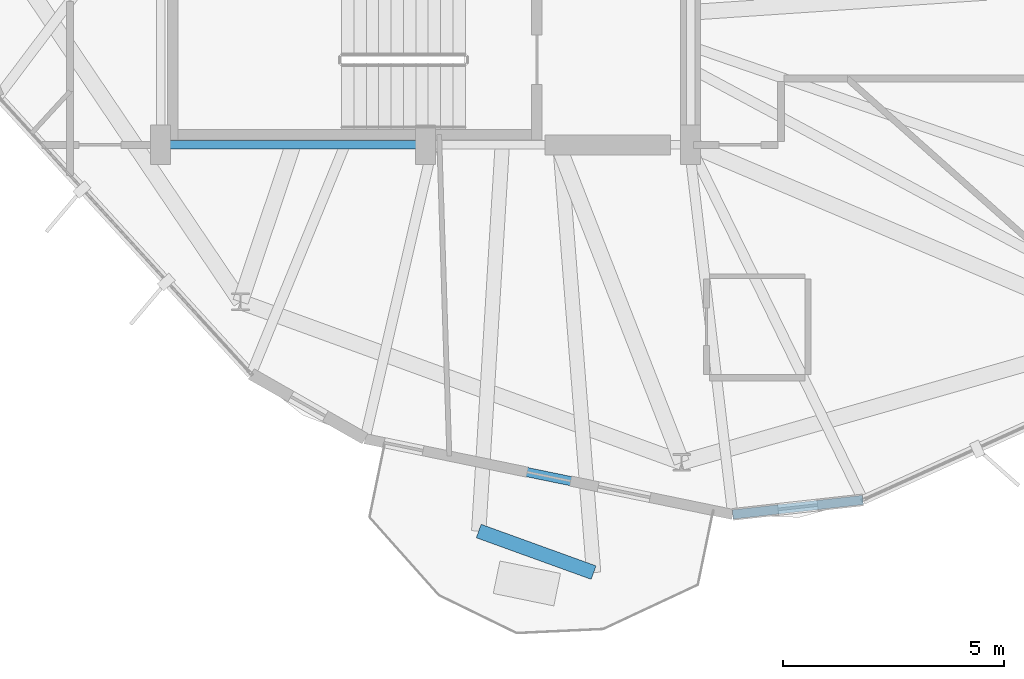
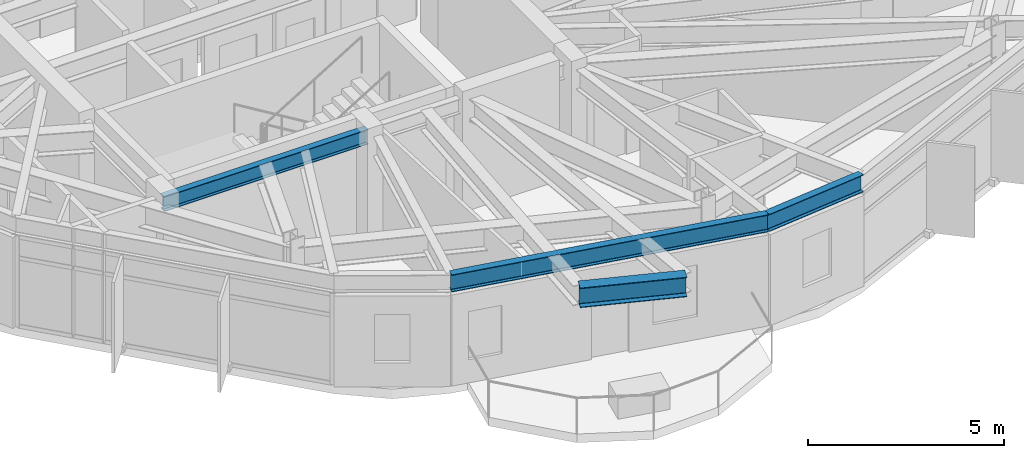
# One storey, part 4 of 23: 4 beams.
"""IFC4 building model written with IfcOpenShell, lengths in metres."""

from ifc_helpers import new_model, si_unit, direction, frame, origin, origin_2d, place, context, subcontext, project, spatial, i_section, extrude, material, material_profile, profile_set, type_object, element, save


model = new_model("IFC4")

# Units and contexts
model_context = context("Model", 3, precision=1e-05, world=origin(), true_north=direction((0.0, 1.0)))
body_context = subcontext(model_context, "Body", "Model", "MODEL_VIEW")
ifc_project = project(units=[si_unit("LENGTHUNIT", "METRE"), si_unit("AREAUNIT", "SQUARE_METRE"), si_unit("VOLUMEUNIT", "CUBIC_METRE"), si_unit("PLANEANGLEUNIT", "RADIAN"), si_unit("MASSUNIT", "GRAM", prefix="KILO")], contexts=[model_context])

# Site, building, storey
site_placement = place(None, origin())
site = spatial("IfcSite", under=ifc_project, at=site_placement, CompositionType="ELEMENT")
building_placement = place(site_placement, origin())
building = spatial("IfcBuilding", under=site, at=building_placement, Name="Soratama Intermodal Tower", CompositionType="ELEMENT")
storey_placement = place(building_placement, frame((0.0, 0.0, 257.5)))
storey = spatial("IfcBuildingStorey", under=building, at=storey_placement, Name="L65", CompositionType="ELEMENT", Elevation=257.5)

# Beams
ifc_material_1 = material(Name="Structural steel ASTM A992 Grade 50", Category="steel")
ifc_material_profile_1 = material_profile(ifc_material_1, i_section(OverallWidth=0.324951171875, OverallDepth=0.615966796875, WebThickness=0.013916015625, FlangeThickness=0.021484375, FilletRadius=0.013916015625, at=origin_2d()), Name="W24X117")
ifc_profile_set_1 = profile_set([ifc_material_profile_1], Name="Structural steel ASTM A992 Grade 50")
beam_type_1 = type_object("IfcBeamType", Name="BM-CANT-W24X117", PredefinedType="BEAM", material=ifc_profile_set_1)
beam_1_placement = place(storey_placement, frame((39.803955078125, 6.2548828125, 3.14208984375), z_axis=(0.940364211655, -0.340169295262, 0.0), x_axis=(0.340169295262, 0.940364211655, 0.0)))
element("IfcBeam", 1, at=beam_1_placement, inside=storey, type_object=beam_type_1, Name="BM-L65-CBHDR-3", PredefinedType="BEAM", context=body_context, shape_type="SweptSolid", body=[
    extrude(i_section(OverallWidth=0.324951171875, OverallDepth=0.615966796875, WebThickness=0.013916015625, FlangeThickness=0.021484375, FilletRadius=0.013916015625, at=origin_2d()), origin(), (0.0, 0.0, 1.0), 2.76611328125),
])
ifc_material_2 = material(Name="Structural steel ASTM A992 Grade 50", Category="steel")
ifc_material_profile_2 = material_profile(ifc_material_2, i_section(OverallWidth=0.19091796875, OverallDepth=0.4599609375, WebThickness=0.010009765625, FlangeThickness=0.01611328125, FilletRadius=0.010986328125, at=origin_2d()), Name="W18X55")
ifc_profile_set_2 = profile_set([ifc_material_profile_2], Name="Structural steel ASTM A992 Grade 50")
beam_type_2 = type_object("IfcBeamType", Name="BM-FLR-W18X55", PredefinedType="BEAM", material=ifc_profile_set_2)
beam_2_placement = place(storey_placement, frame((32.60009765625, 15.0, 3.219970703125), z_axis=(1.0, 0.0, 0.0), x_axis=(0.0, 1.0, 0.0)))
element("IfcBeam", 2, at=beam_2_placement, inside=storey, type_object=beam_type_2, Name="BM-L65-CRING-01", PredefinedType="BEAM", context=body_context, shape_type="SweptSolid", body=[
    extrude(i_section(OverallWidth=0.19091796875, OverallDepth=0.4599609375, WebThickness=0.010009765625, FlangeThickness=0.01611328125, FilletRadius=0.010986328125, at=origin_2d()), origin(), (0.0, 0.0, 1.0), 6.0),
])
ifc_material_3 = material(Name="Structural steel ASTM A992 Grade 50", Category="steel")
ifc_material_profile_3 = material_profile(ifc_material_3, i_section(OverallWidth=0.2099609375, OverallDepth=0.537109375, WebThickness=0.010986328125, FlangeThickness=0.017333984375, FilletRadius=0.012939453125, at=origin_2d()), Name="W21X68")
ifc_profile_set_3 = profile_set([ifc_material_profile_3], Name="Structural steel ASTM A992 Grade 50")
beam_type_3 = type_object("IfcBeamType", Name="BM-SPN-W21X68", PredefinedType="SPANDREL", material=ifc_profile_set_3)
beam_3_placement = place(storey_placement, frame((37.22998046875, 8.344970703125, 3.181396484375), z_axis=(0.979430838522, -0.201780158967, 0.0), x_axis=(0.201780158967, 0.979430838522, 0.0)))
element("IfcBeam", 3, at=beam_3_placement, inside=storey, type_object=beam_type_3, Name="BS-L65-F06", PredefinedType="SPANDREL", context=body_context, shape_type="SweptSolid", body=[
    extrude(i_section(OverallWidth=0.2099609375, OverallDepth=0.537109375, WebThickness=0.010986328125, FlangeThickness=0.017333984375, FilletRadius=0.012939453125, at=origin_2d()), origin(), (0.0, 0.0, 1.0), 8.499755859375),
])
beam_4_placement = place(storey_placement, frame((45.554931640625, 6.6298828125, 3.181396484375), z_axis=(0.993826389656, 0.110946416005, 0.0), x_axis=(-0.110946416005, 0.993826389656, 0.0)))
element("IfcBeam", 4, at=beam_4_placement, inside=storey, type_object=beam_type_3, Name="BS-L65-CRN06", PredefinedType="SPANDREL", context=body_context, shape_type="SweptSolid", body=[
    extrude(i_section(OverallWidth=0.2099609375, OverallDepth=0.537109375, WebThickness=0.010986328125, FlangeThickness=0.017333984375, FilletRadius=0.012939453125, at=origin_2d()), origin(), (0.0, 0.0, 1.0), 2.96630859375),
])

save(model, "model.ifc")
